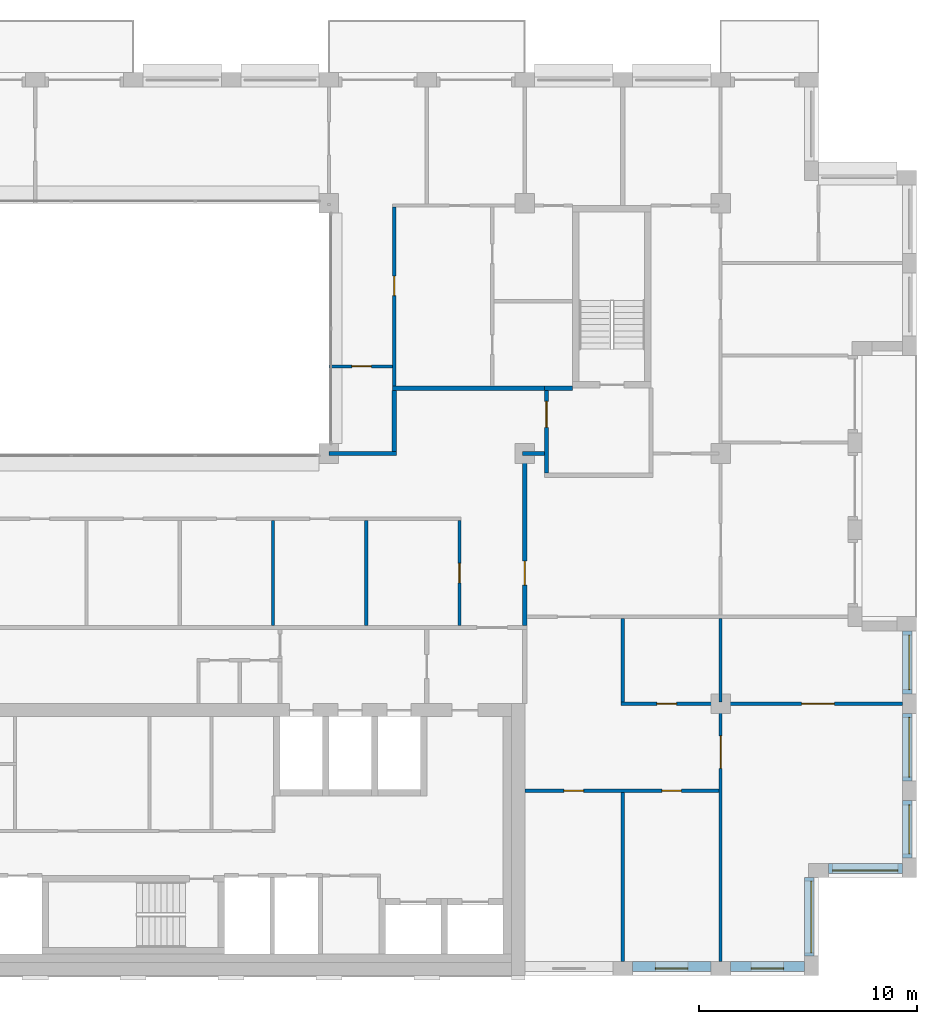
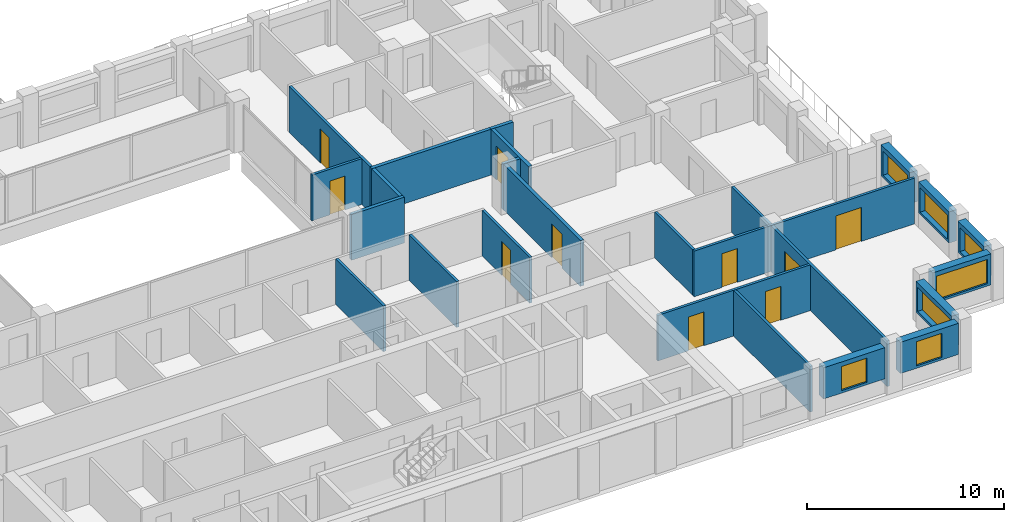
# One storey, part 11 of 15: 25 walls, 10 doors, 7 windows, 17 openings.
"""IFC4 building model written with IfcOpenShell, lengths in metres."""

from ifc_helpers import new_model, si_unit, direction, frame, frame_2d, origin, place, context, subcontext, project, spatial, rectangle, extrude, material, layer, layer_set, type_object, element, fill, save


model = new_model("IFC4")

# Units and contexts
model_context = context("Model", 3, precision=1e-05, world=origin(), true_north=direction((0.0, 1.0)))
body_context = subcontext(model_context, "Body", "Model", "MODEL_VIEW")
ifc_project = project(units=[si_unit("LENGTHUNIT", "METRE"), si_unit("AREAUNIT", "SQUARE_METRE"), si_unit("VOLUMEUNIT", "CUBIC_METRE"), si_unit("PLANEANGLEUNIT", "RADIAN"), si_unit("MASSUNIT", "GRAM", prefix="KILO")], contexts=[model_context])

# Site, building, storey
site_placement = place(None, origin())
site = spatial("IfcSite", under=ifc_project, at=site_placement, CompositionType="ELEMENT")
building_placement = place(site_placement, origin())
building = spatial("IfcBuilding", under=site, at=building_placement, Name="Brigalow Station Residences", CompositionType="ELEMENT")
storey_placement = place(building_placement, frame((0.0, 0.0, 220.050048828125)))
storey = spatial("IfcBuildingStorey", under=building, at=storey_placement, Name="L63", CompositionType="ELEMENT", Elevation=220.050048828125)

# Wall, opening, window
ifc_material_1 = material(Name="Clay brick masonry", Category="masonry")
ifc_layer_1 = layer(ifc_material_1, 0.449951171875)
ifc_layer_set_1 = layer_set([ifc_layer_1], Name="BRICK INFILL WALL 450")
wall_type_1 = type_object("IfcWallType", Name="BRICK INFILL WALL 450", PredefinedType="SOLIDWALL", material=ifc_layer_set_1)
wall_1_placement = place(storey_placement, frame((58.949951171875, 0.425048828125, 0.89990234375), z_axis=(0.0, 0.0, 1.0), x_axis=(1.0, 0.0, 0.0)))
wall_1 = element("IfcWall", 1, at=wall_1_placement, inside=storey, type_object=wall_type_1, Name="L63/ewall/W-L63-4", PredefinedType="SOLIDWALL", context=body_context, shape_type="SweptSolid", body=[
    extrude(rectangle(XDim=3.60009765625, YDim=0.449951171875, at=frame_2d((1.800048828125, 0.0))), origin(), (0.0, 0.0, 1.0), 1.929931640625),
])
opening_1_placement = place(wall_1_placement, frame((1.050048828125, 0.0, 0.14990234375)))
opening_1 = element("IfcOpeningElement", 2, at=opening_1_placement, cuts=wall_1, Name="Opening WT-1", PredefinedType="OPENING", context=body_context, shape_type="SweptSolid", body=[
    extrude(rectangle(XDim=1.5, YDim=1.5, at=frame_2d((0.75, 0.75))), frame((0.0, 0.23486328125, 0.0), z_axis=(0.0, -1.0, 0.0), x_axis=(1.0, 0.0, 0.0)), (0.0, 0.0, 1.0), 0.469970703125),
])
ifc_material_2 = material(Name="Anodised aluminium frame with double glazing", Category="aluminium")
window_type_1 = type_object("IfcWindowType", Name="WINDOW 1500x1500", PartitioningType="SINGLE_PANEL", PredefinedType="WINDOW", material=ifc_material_2)
window_1_placement = place(opening_1_placement, origin())
window_1 = element("IfcWindow", 3, at=window_1_placement, inside=storey, type_object=window_type_1, Name="L63/window/W-L63-4", OverallHeight=1.5, OverallWidth=1.5, PartitioningType="SINGLE_PANEL", PredefinedType="WINDOW", context=body_context, shape_type="SweptSolid", body=[
    extrude(rectangle(XDim=1.5, YDim=1.5, at=frame_2d((0.75, 0.75))), frame((0.0, -0.06494140625, 0.0), z_axis=(0.0, -1.0, 0.0), x_axis=(1.0, 0.0, 0.0)), (0.0, 0.0, 1.0), 0.06005859375),
])
fill(opening_1, window_1)

wall_2_placement = place(storey_placement, frame((63.449951171875, 0.425048828125, 0.89990234375), z_axis=(0.0, 0.0, 1.0), x_axis=(1.0, 0.0, 0.0)))
wall_2 = element("IfcWall", 4, at=wall_2_placement, inside=storey, type_object=wall_type_1, Name="L63/ewall/W-L63-5", PredefinedType="SOLIDWALL", context=body_context, shape_type="SweptSolid", body=[
    extrude(rectangle(XDim=3.400146484375, YDim=0.449951171875, at=frame_2d((1.7001953125, 0.0))), origin(), (0.0, 0.0, 1.0), 1.929931640625),
])
opening_2_placement = place(wall_2_placement, frame((0.949951171875, 0.0, 0.14990234375)))
opening_2 = element("IfcOpeningElement", 5, at=opening_2_placement, cuts=wall_2, Name="Opening WT-1", PredefinedType="OPENING", context=body_context, shape_type="SweptSolid", body=[
    extrude(rectangle(XDim=1.5, YDim=1.5, at=frame_2d((0.75, 0.75))), frame((0.0, 0.23486328125, 0.0), z_axis=(0.0, -1.0, 0.0), x_axis=(1.0, 0.0, 0.0)), (0.0, 0.0, 1.0), 0.469970703125),
])
window_2_placement = place(opening_2_placement, origin())
window_2 = element("IfcWindow", 6, at=window_2_placement, inside=storey, type_object=window_type_1, Name="L63/window/W-L63-5", OverallHeight=1.5, OverallWidth=1.5, PartitioningType="SINGLE_PANEL", PredefinedType="WINDOW", context=body_context, shape_type="SweptSolid", body=[
    extrude(rectangle(XDim=1.5, YDim=1.5, at=frame_2d((0.75, 0.75))), frame((0.0, -0.06494140625, 0.0), z_axis=(0.0, -1.0, 0.0), x_axis=(1.0, 0.0, 0.0)), (0.0, 0.0, 1.0), 0.06005859375),
])
fill(opening_2, window_2)

wall_3_placement = place(storey_placement, frame((67.074951171875, 0.89990234375, 0.89990234375), z_axis=(0.0, 0.0, 1.0), x_axis=(0.0, 1.0, 0.0)))
wall_3 = element("IfcWall", 7, at=wall_3_placement, inside=storey, type_object=wall_type_1, Name="L63/ewall/W-L63-6", PredefinedType="SOLIDWALL", context=body_context, shape_type="SweptSolid", body=[
    extrude(rectangle(XDim=3.60009765625, YDim=0.449951171875, at=frame_2d((1.800048828125, 0.0))), origin(), (0.0, 0.0, 1.0), 1.929931640625),
])
opening_3_placement = place(wall_3_placement, frame((0.14990234375, 0.0, 0.14990234375)))
opening_3 = element("IfcOpeningElement", 8, at=opening_3_placement, cuts=wall_3, Name="Opening WT-10", PredefinedType="OPENING", context=body_context, shape_type="SweptSolid", body=[
    extrude(rectangle(XDim=3.300048828125, YDim=1.5, at=frame_2d((1.64990234375, 0.75))), frame((0.0, 0.23486328125, 0.0), z_axis=(0.0, -1.0, 0.0), x_axis=(1.0, 0.0, 0.0)), (0.0, 0.0, 1.0), 0.469970703125),
])
ifc_material_3 = material(Name="Anodised aluminium frame with double glazing", Category="aluminium")
window_type_2 = type_object("IfcWindowType", Name="WINDOW 3300x1500", PartitioningType="SINGLE_PANEL", PredefinedType="WINDOW", material=ifc_material_3)
window_3_placement = place(opening_3_placement, origin())
window_3 = element("IfcWindow", 9, at=window_3_placement, inside=storey, type_object=window_type_2, Name="L63/window/W-L63-6", OverallHeight=1.5, OverallWidth=3.300048828125, PartitioningType="SINGLE_PANEL", PredefinedType="WINDOW", context=body_context, shape_type="SweptSolid", body=[
    extrude(rectangle(XDim=3.300048828125, YDim=1.5, at=frame_2d((1.64990234375, 0.75))), frame((0.0, -0.06494140625, 0.0), z_axis=(0.0, -1.0, 0.0), x_axis=(1.0, 0.0, 0.0)), (0.0, 0.0, 1.0), 0.06005859375),
])
fill(opening_3, window_3)

wall_4_placement = place(storey_placement, frame((67.949951171875, 4.925048828125, 0.89990234375), z_axis=(0.0, 0.0, 1.0), x_axis=(1.0, 0.0, 0.0)))
wall_4 = element("IfcWall", 10, at=wall_4_placement, inside=storey, type_object=wall_type_1, Name="L63/ewall/W-L63-7", PredefinedType="SOLIDWALL", context=body_context, shape_type="SweptSolid", body=[
    extrude(rectangle(XDim=3.400146484375, YDim=0.449951171875, at=frame_2d((1.7001953125, 0.0))), origin(), (0.0, 0.0, 1.0), 1.929931640625),
])
opening_4_placement = place(wall_4_placement, frame((0.199951171875, 0.0, 0.14990234375)))
opening_4 = element("IfcOpeningElement", 11, at=opening_4_placement, cuts=wall_4, Name="Opening WT-2", PredefinedType="OPENING", context=body_context, shape_type="SweptSolid", body=[
    extrude(rectangle(XDim=3.0, YDim=1.5, at=frame_2d((1.5, 0.75))), frame((0.0, 0.23486328125, 0.0), z_axis=(0.0, -1.0, 0.0), x_axis=(1.0, 0.0, 0.0)), (0.0, 0.0, 1.0), 0.469970703125),
])
ifc_material_4 = material(Name="Anodised aluminium frame with double glazing", Category="aluminium")
window_type_3 = type_object("IfcWindowType", Name="WINDOW 3000x1500", PartitioningType="SINGLE_PANEL", PredefinedType="WINDOW", material=ifc_material_4)
window_4_placement = place(opening_4_placement, origin())
window_4 = element("IfcWindow", 12, at=window_4_placement, inside=storey, type_object=window_type_3, Name="L63/window/W-L63-7", OverallHeight=1.5, OverallWidth=3.0, PartitioningType="SINGLE_PANEL", PredefinedType="WINDOW", context=body_context, shape_type="SweptSolid", body=[
    extrude(rectangle(XDim=3.0, YDim=1.5, at=frame_2d((1.5, 0.75))), frame((0.0, -0.06494140625, 0.0), z_axis=(0.0, -1.0, 0.0), x_axis=(1.0, 0.0, 0.0)), (0.0, 0.0, 1.0), 0.06005859375),
])
fill(opening_4, window_4)

wall_5_placement = place(storey_placement, frame((71.574951171875, 5.39990234375, 0.89990234375), z_axis=(0.0, 0.0, 1.0), x_axis=(0.0, 1.0, 0.0)))
wall_5 = element("IfcWall", 13, at=wall_5_placement, inside=storey, type_object=wall_type_1, Name="L63/ewall/W-L63-8", PredefinedType="SOLIDWALL", context=body_context, shape_type="SweptSolid", body=[
    extrude(rectangle(XDim=2.650146484375, YDim=0.449951171875, at=frame_2d((1.3251953125, 0.0))), origin(), (0.0, 0.0, 1.0), 1.929931640625),
])
opening_5_placement = place(wall_5_placement, frame((0.199951171875, 0.0, 0.14990234375)))
opening_5 = element("IfcOpeningElement", 14, at=opening_5_placement, cuts=wall_5, Name="Opening WT-6", PredefinedType="OPENING", context=body_context, shape_type="SweptSolid", body=[
    extrude(rectangle(XDim=2.25, YDim=1.5, at=frame_2d((1.125, 0.75))), frame((0.0, 0.23486328125, 0.0), z_axis=(0.0, -1.0, 0.0), x_axis=(1.0, 0.0, 0.0)), (0.0, 0.0, 1.0), 0.469970703125),
])
ifc_material_5 = material(Name="Anodised aluminium frame with double glazing", Category="aluminium")
window_type_4 = type_object("IfcWindowType", Name="WINDOW 2250x1500", PartitioningType="SINGLE_PANEL", PredefinedType="WINDOW", material=ifc_material_5)
window_5_placement = place(opening_5_placement, origin())
window_5 = element("IfcWindow", 15, at=window_5_placement, inside=storey, type_object=window_type_4, Name="L63/window/W-L63-8", OverallHeight=1.5, OverallWidth=2.25, PartitioningType="SINGLE_PANEL", PredefinedType="WINDOW", context=body_context, shape_type="SweptSolid", body=[
    extrude(rectangle(XDim=2.25, YDim=1.5, at=frame_2d((1.125, 0.75))), frame((0.0, -0.06494140625, 0.0), z_axis=(0.0, -1.0, 0.0), x_axis=(1.0, 0.0, 0.0)), (0.0, 0.0, 1.0), 0.06005859375),
])
fill(opening_5, window_5)

wall_6_placement = place(storey_placement, frame((71.574951171875, 8.949951171875, 0.89990234375), z_axis=(0.0, 0.0, 1.0), x_axis=(0.0, 1.0, 0.0)))
wall_6 = element("IfcWall", 16, at=wall_6_placement, inside=storey, type_object=wall_type_1, Name="L63/ewall/W-L63-9", PredefinedType="SOLIDWALL", context=body_context, shape_type="SweptSolid", body=[
    extrude(rectangle(XDim=3.10009765625, YDim=0.449951171875, at=frame_2d((1.550048828125, 0.0))), origin(), (0.0, 0.0, 1.0), 1.929931640625),
])
opening_6_placement = place(wall_6_placement, frame((0.175048828125, 0.0, 0.14990234375)))
opening_6 = element("IfcOpeningElement", 17, at=opening_6_placement, cuts=wall_6, Name="Opening WT-3", PredefinedType="OPENING", context=body_context, shape_type="SweptSolid", body=[
    extrude(rectangle(XDim=2.75, YDim=1.5, at=frame_2d((1.375, 0.75))), frame((0.0, 0.23486328125, 0.0), z_axis=(0.0, -1.0, 0.0), x_axis=(1.0, 0.0, 0.0)), (0.0, 0.0, 1.0), 0.469970703125),
])
ifc_material_6 = material(Name="Anodised aluminium frame with double glazing", Category="aluminium")
window_type_5 = type_object("IfcWindowType", Name="WINDOW 2750x1500", PartitioningType="SINGLE_PANEL", PredefinedType="WINDOW", material=ifc_material_6)
window_6_placement = place(opening_6_placement, origin())
window_6 = element("IfcWindow", 18, at=window_6_placement, inside=storey, type_object=window_type_5, Name="L63/window/W-L63-9", OverallHeight=1.5, OverallWidth=2.75, PartitioningType="SINGLE_PANEL", PredefinedType="WINDOW", context=body_context, shape_type="SweptSolid", body=[
    extrude(rectangle(XDim=2.75, YDim=1.5, at=frame_2d((1.375, 0.75))), frame((0.0, -0.06494140625, 0.0), z_axis=(0.0, -1.0, 0.0), x_axis=(1.0, 0.0, 0.0)), (0.0, 0.0, 1.0), 0.06005859375),
])
fill(opening_6, window_6)

wall_7_placement = place(storey_placement, frame((71.574951171875, 12.949951171875, 0.89990234375), z_axis=(0.0, 0.0, 1.0), x_axis=(0.0, 1.0, 0.0)))
wall_7 = element("IfcWall", 19, at=wall_7_placement, inside=storey, type_object=wall_type_1, Name="L63/ewall/W-L63-10", PredefinedType="SOLIDWALL", context=body_context, shape_type="SweptSolid", body=[
    extrude(rectangle(XDim=2.900146484375, YDim=0.449951171875, at=frame_2d((1.4501953125, 0.0))), origin(), (0.0, 0.0, 1.0), 1.929931640625),
])
opening_7_placement = place(wall_7_placement, frame((0.199951171875, 0.0, 0.14990234375)))
opening_7 = element("IfcOpeningElement", 20, at=opening_7_placement, cuts=wall_7, Name="Opening WT-5", PredefinedType="OPENING", context=body_context, shape_type="SweptSolid", body=[
    extrude(rectangle(XDim=2.5, YDim=1.5, at=frame_2d((1.25, 0.75))), frame((0.0, 0.23486328125, 0.0), z_axis=(0.0, -1.0, 0.0), x_axis=(1.0, 0.0, 0.0)), (0.0, 0.0, 1.0), 0.469970703125),
])
ifc_material_7 = material(Name="Anodised aluminium frame with double glazing", Category="aluminium")
window_type_6 = type_object("IfcWindowType", Name="WINDOW 2500x1500", PartitioningType="SINGLE_PANEL", PredefinedType="WINDOW", material=ifc_material_7)
window_7_placement = place(opening_7_placement, origin())
window_7 = element("IfcWindow", 21, at=window_7_placement, inside=storey, type_object=window_type_6, Name="L63/window/W-L63-10", OverallHeight=1.5, OverallWidth=2.5, PartitioningType="SINGLE_PANEL", PredefinedType="WINDOW", context=body_context, shape_type="SweptSolid", body=[
    extrude(rectangle(XDim=2.5, YDim=1.5, at=frame_2d((1.25, 0.75))), frame((0.0, -0.06494140625, 0.0), z_axis=(0.0, -1.0, 0.0), x_axis=(1.0, 0.0, 0.0)), (0.0, 0.0, 1.0), 0.06005859375),
])
fill(opening_7, window_7)

# Wall
ifc_material_8 = material(Name="Concrete blockwork", Category="masonry")
ifc_layer_2 = layer(ifc_material_8, 0.199951171875)
ifc_layer_set_2 = layer_set([ifc_layer_2], Name="FIRE RATED CORE PARTITION 200")
wall_type_2 = type_object("IfcWallType", Name="FIRE RATED CORE PARTITION 200", PredefinedType="PARTITIONING", material=ifc_layer_set_2)
wall_8_placement = place(storey_placement, frame((54.89990234375, 27.0, 0.0), z_axis=(0.0, 0.0, 1.0), x_axis=(1.0, 0.0, 0.0)))
element("IfcWall", 22, at=wall_8_placement, inside=storey, type_object=wall_type_2, Name="PW-5026", PredefinedType="PARTITIONING", context=body_context, shape_type="SweptSolid", body=[
    extrude(rectangle(XDim=1.300048828125, YDim=0.199951171875, at=frame_2d((0.64990234375, 0.0))), origin(), (0.0, 0.0, 1.0), 2.829833984375),
])

# Wall, opening, door
wall_9_placement = place(storey_placement, frame((55.0, 23.10009765625, 0.0), z_axis=(0.0, 0.0, 1.0), x_axis=(0.0, 1.0, 0.0)))
wall_9 = element("IfcWall", 23, at=wall_9_placement, inside=storey, type_object=wall_type_2, Name="PW-5036", PredefinedType="PARTITIONING", context=body_context, shape_type="SweptSolid", body=[
    extrude(rectangle(XDim=3.7998046875, YDim=0.199951171875, at=frame_2d((1.89990234375, 0.0))), origin(), (0.0, 0.0, 1.0), 2.829833984375),
])
opening_8_placement = place(wall_9_placement, frame((2.10009765625, 0.0, 0.0)))
opening_8 = element("IfcOpeningElement", 24, at=opening_8_placement, cuts=wall_9, Name="Opening D-5019", PredefinedType="OPENING", context=body_context, shape_type="SweptSolid", body=[
    extrude(rectangle(XDim=1.199951171875, YDim=2.10009765625, at=frame_2d((0.60009765625, 1.050048828125))), frame((0.0, 0.10986328125, 0.0), z_axis=(0.0, -1.0, 0.0), x_axis=(1.0, 0.0, 0.0)), (0.0, 0.0, 1.0), 0.219970703125),
])
ifc_material_9 = material(Name="Steel fire door leaf in steel frame", Category="steel")
door_type_1 = type_object("IfcDoorType", Name="STAIR LOBBY DOOR 1200 x 2100 FD60S", OperationType="SINGLE_SWING_LEFT", PredefinedType="DOOR", material=ifc_material_9)
door_1_placement = place(opening_8_placement, frame((1.199951171875, 0.0, 0.0), z_axis=(0.0, 0.0, 1.0), x_axis=(-1.0, 0.0, 0.0)))
door_1 = element("IfcDoor", 25, at=door_1_placement, inside=storey, type_object=door_type_1, Name="D-5019", OperationType="SINGLE_SWING_LEFT", OverallHeight=2.10009765625, OverallWidth=1.199951171875, PredefinedType="DOOR", context=body_context, shape_type="SweptSolid", body=[
    extrude(rectangle(XDim=1.199951171875, YDim=2.10009765625, at=frame_2d((0.60009765625, 1.050048828125))), frame((0.0, 0.02490234375, 0.0), z_axis=(0.0, -1.0, 0.0), x_axis=(1.0, 0.0, 0.0)), (0.0, 0.0, 1.0), 0.050048828125),
])
fill(opening_8, door_1)

# Wall, openings, doors
ifc_material_10 = material(Name="Plasterboard on steel stud partition", Category="steel")
ifc_layer_3 = layer(ifc_material_10, 0.14990234375)
ifc_layer_set_3 = layer_set([ifc_layer_3], Name="FLAT PARTITION 150")
wall_type_3 = type_object("IfcWallType", Name="FLAT PARTITION 150", PredefinedType="PARTITIONING", material=ifc_layer_set_3)
wall_10_placement = place(storey_placement, frame((58.425048828125, 12.5, 0.0), z_axis=(0.0, 0.0, 1.0), x_axis=(1.0, 0.0, 0.0)))
wall_10 = element("IfcWall", 26, at=wall_10_placement, inside=storey, type_object=wall_type_3, Name="PW-4C10", PredefinedType="PARTITIONING", context=body_context, shape_type="SweptSolid", body=[
    extrude(rectangle(XDim=12.925048828125, YDim=0.14990234375, at=frame_2d((6.46240234375, 0.0))), origin(), (0.0, 0.0, 1.0), 2.829833984375),
])
opening_9_placement = place(wall_10_placement, frame((1.64990234375, 0.0, 0.0)))
opening_9 = element("IfcOpeningElement", 27, at=opening_9_placement, cuts=wall_10, Name="Opening D-4C27", PredefinedType="OPENING", context=body_context, shape_type="SweptSolid", body=[
    extrude(rectangle(XDim=0.89990234375, YDim=2.10009765625, at=frame_2d((0.449951171875, 1.050048828125))), frame((0.0, 0.0849609375, 0.0), z_axis=(0.0, -1.0, 0.0), x_axis=(1.0, 0.0, 0.0)), (0.0, 0.0, 1.0), 0.169921875),
])
opening_10_placement = place(wall_10_placement, frame((8.300048828125, 0.0, 0.0)))
opening_10 = element("IfcOpeningElement", 28, at=opening_10_placement, cuts=wall_10, Name="Opening D-4C29", PredefinedType="OPENING", context=body_context, shape_type="SweptSolid", body=[
    extrude(rectangle(XDim=1.5, YDim=2.10009765625, at=frame_2d((0.75, 1.050048828125))), frame((0.0, 0.0849609375, 0.0), z_axis=(0.0, -1.0, 0.0), x_axis=(1.0, 0.0, 0.0)), (0.0, 0.0, 1.0), 0.169921875),
])
ifc_material_11 = material(Name="Solid-core timber door leaf", Category="wood")
door_type_2 = type_object("IfcDoorType", Name="INTERNAL DOOR 900 x 2100", OperationType="SINGLE_SWING_LEFT", PredefinedType="DOOR", material=ifc_material_11)
door_2_placement = place(opening_9_placement, origin())
door_2 = element("IfcDoor", 29, at=door_2_placement, inside=storey, type_object=door_type_2, Name="D-4C27", OperationType="SINGLE_SWING_LEFT", OverallHeight=2.10009765625, OverallWidth=0.89990234375, PredefinedType="DOOR", context=body_context, shape_type="SweptSolid", body=[
    extrude(rectangle(XDim=0.89990234375, YDim=2.10009765625, at=frame_2d((0.449951171875, 1.050048828125))), frame((0.0, 0.02490234375, 0.0), z_axis=(0.0, -1.0, 0.0), x_axis=(1.0, 0.0, 0.0)), (0.0, 0.0, 1.0), 0.050048828125),
])
fill(opening_9, door_2)
ifc_material_12 = material(Name="Solid-core timber door leaf", Category="wood")
door_type_3 = type_object("IfcDoorType", Name="INTERNAL DOUBLE DOOR 1500 x 2100", OperationType="DOUBLE_DOOR_SINGLE_SWING", PredefinedType="DOOR", material=ifc_material_12)
door_3_placement = place(opening_10_placement, origin())
door_3 = element("IfcDoor", 30, at=door_3_placement, inside=storey, type_object=door_type_3, Name="D-4C29", OperationType="DOUBLE_DOOR_SINGLE_SWING", OverallHeight=2.10009765625, OverallWidth=1.5, PredefinedType="DOOR", context=body_context, shape_type="SweptSolid", body=[
    extrude(rectangle(XDim=1.5, YDim=2.10009765625, at=frame_2d((0.75, 1.050048828125))), frame((0.0, 0.02490234375, 0.0), z_axis=(0.0, -1.0, 0.0), x_axis=(1.0, 0.0, 0.0)), (0.0, 0.0, 1.0), 0.050048828125),
])
fill(opening_10, door_3)

# Wall, opening, door
wall_11_placement = place(storey_placement, frame((45.0, 28.0, 0.0), z_axis=(0.0, 0.0, 1.0), x_axis=(1.0, 0.0, 0.0)))
wall_11 = element("IfcWall", 31, at=wall_11_placement, inside=storey, type_object=wall_type_3, Name="PW-4C21", PredefinedType="PARTITIONING", context=body_context, shape_type="SweptSolid", body=[
    extrude(rectangle(XDim=2.925048828125, YDim=0.14990234375, at=frame_2d((1.46240234375, 0.0))), origin(), (0.0, 0.0, 1.0), 2.829833984375),
])
opening_11_placement = place(wall_11_placement, frame((1.050048828125, 0.0, 0.0)))
opening_11 = element("IfcOpeningElement", 32, at=opening_11_placement, cuts=wall_11, Name="Opening D-4C17", PredefinedType="OPENING", context=body_context, shape_type="SweptSolid", body=[
    extrude(rectangle(XDim=0.89990234375, YDim=2.10009765625, at=frame_2d((0.449951171875, 1.050048828125))), frame((0.0, 0.0849609375, 0.0), z_axis=(0.0, -1.0, 0.0), x_axis=(1.0, 0.0, 0.0)), (0.0, 0.0, 1.0), 0.169921875),
])
door_4_placement = place(opening_11_placement, frame((0.89990234375, 0.0, 0.0), z_axis=(0.0, 0.0, 1.0), x_axis=(-1.0, 0.0, 0.0)))
door_4 = element("IfcDoor", 33, at=door_4_placement, inside=storey, type_object=door_type_2, Name="D-4C17", OperationType="SINGLE_SWING_LEFT", OverallHeight=2.10009765625, OverallWidth=0.89990234375, PredefinedType="DOOR", context=body_context, shape_type="SweptSolid", body=[
    extrude(rectangle(XDim=0.89990234375, YDim=2.10009765625, at=frame_2d((0.449951171875, 1.050048828125))), frame((0.0, 0.02490234375, 0.0), z_axis=(0.0, -1.0, 0.0), x_axis=(1.0, 0.0, 0.0)), (0.0, 0.0, 1.0), 0.050048828125),
])
fill(opening_11, door_4)

# Wall, openings, doors
wall_12_placement = place(storey_placement, frame((54.0, 8.5, 0.0), z_axis=(0.0, 0.0, 1.0), x_axis=(1.0, 0.0, 0.0)))
wall_12 = element("IfcWall", 34, at=wall_12_placement, inside=storey, type_object=wall_type_3, Name="PW-4C23", PredefinedType="PARTITIONING", context=body_context, shape_type="SweptSolid", body=[
    extrude(rectangle(XDim=8.925048828125, YDim=0.14990234375, at=frame_2d((4.46240234375, 0.0))), origin(), (0.0, 0.0, 1.0), 2.829833984375),
])
opening_12_placement = place(wall_12_placement, frame((1.800048828125, 0.0, 0.0)))
opening_12 = element("IfcOpeningElement", 35, at=opening_12_placement, cuts=wall_12, Name="Opening D-4C25", PredefinedType="OPENING", context=body_context, shape_type="SweptSolid", body=[
    extrude(rectangle(XDim=0.89990234375, YDim=2.10009765625, at=frame_2d((0.449951171875, 1.050048828125))), frame((0.0, 0.0849609375, 0.0), z_axis=(0.0, -1.0, 0.0), x_axis=(1.0, 0.0, 0.0)), (0.0, 0.0, 1.0), 0.169921875),
])
opening_13_placement = place(wall_12_placement, frame((6.300048828125, 0.0, 0.0)))
opening_13 = element("IfcOpeningElement", 36, at=opening_13_placement, cuts=wall_12, Name="Opening D-4C26", PredefinedType="OPENING", context=body_context, shape_type="SweptSolid", body=[
    extrude(rectangle(XDim=0.89990234375, YDim=2.10009765625, at=frame_2d((0.449951171875, 1.050048828125))), frame((0.0, 0.0849609375, 0.0), z_axis=(0.0, -1.0, 0.0), x_axis=(1.0, 0.0, 0.0)), (0.0, 0.0, 1.0), 0.169921875),
])
door_5_placement = place(opening_12_placement, frame((0.89990234375, 0.0, 0.0), z_axis=(0.0, 0.0, 1.0), x_axis=(-1.0, 0.0, 0.0)))
door_5 = element("IfcDoor", 37, at=door_5_placement, inside=storey, type_object=door_type_2, Name="D-4C25", OperationType="SINGLE_SWING_LEFT", OverallHeight=2.10009765625, OverallWidth=0.89990234375, PredefinedType="DOOR", context=body_context, shape_type="SweptSolid", body=[
    extrude(rectangle(XDim=0.89990234375, YDim=2.10009765625, at=frame_2d((0.449951171875, 1.050048828125))), frame((0.0, 0.02490234375, 0.0), z_axis=(0.0, -1.0, 0.0), x_axis=(1.0, 0.0, 0.0)), (0.0, 0.0, 1.0), 0.050048828125),
])
fill(opening_12, door_5)
door_6_placement = place(opening_13_placement, frame((0.89990234375, 0.0, 0.0), z_axis=(0.0, 0.0, 1.0), x_axis=(-1.0, 0.0, 0.0)))
door_6 = element("IfcDoor", 38, at=door_6_placement, inside=storey, type_object=door_type_2, Name="D-4C26", OperationType="SINGLE_SWING_RIGHT", OverallHeight=2.10009765625, OverallWidth=0.89990234375, PredefinedType="DOOR", context=body_context, shape_type="SweptSolid", body=[
    extrude(rectangle(XDim=0.89990234375, YDim=2.10009765625, at=frame_2d((0.449951171875, 1.050048828125))), frame((0.0, 0.02490234375, 0.0), z_axis=(0.0, -1.0, 0.0), x_axis=(1.0, 0.0, 0.0)), (0.0, 0.0, 1.0), 0.050048828125),
])
fill(opening_13, door_6)

# Wall, opening, door
wall_13_placement = place(storey_placement, frame((51.0, 16.10009765625, 0.0), z_axis=(0.0, 0.0, 1.0), x_axis=(0.0, 1.0, 0.0)))
wall_13 = element("IfcWall", 39, at=wall_13_placement, inside=storey, type_object=wall_type_3, Name="PW-4C31", PredefinedType="PARTITIONING", context=body_context, shape_type="SweptSolid", body=[
    extrude(rectangle(XDim=4.824951171875, YDim=0.14990234375, at=frame_2d((2.41259765625, 0.0))), origin(), (0.0, 0.0, 1.0), 2.829833984375),
])
opening_14_placement = place(wall_13_placement, frame((1.949951171875, 0.0, 0.0)))
opening_14 = element("IfcOpeningElement", 40, at=opening_14_placement, cuts=wall_13, Name="Opening D-4C43", PredefinedType="OPENING", context=body_context, shape_type="SweptSolid", body=[
    extrude(rectangle(XDim=0.89990234375, YDim=2.10009765625, at=frame_2d((0.449951171875, 1.050048828125))), frame((0.0, 0.0849609375, 0.0), z_axis=(0.0, -1.0, 0.0), x_axis=(1.0, 0.0, 0.0)), (0.0, 0.0, 1.0), 0.169921875),
])
door_7_placement = place(opening_14_placement, origin())
door_7 = element("IfcDoor", 41, at=door_7_placement, inside=storey, type_object=door_type_2, Name="D-4C43", OperationType="SINGLE_SWING_LEFT", OverallHeight=2.10009765625, OverallWidth=0.89990234375, PredefinedType="DOOR", context=body_context, shape_type="SweptSolid", body=[
    extrude(rectangle(XDim=0.89990234375, YDim=2.10009765625, at=frame_2d((0.449951171875, 1.050048828125))), frame((0.0, 0.02490234375, 0.0), z_axis=(0.0, -1.0, 0.0), x_axis=(1.0, 0.0, 0.0)), (0.0, 0.0, 1.0), 0.050048828125),
])
fill(opening_14, door_7)

wall_14_placement = place(storey_placement, frame((48.0, 27.10009765625, 0.0), z_axis=(0.0, 0.0, 1.0), x_axis=(0.0, 1.0, 0.0)))
wall_14 = element("IfcWall", 42, at=wall_14_placement, inside=storey, type_object=wall_type_3, Name="PW-4C34", PredefinedType="PARTITIONING", context=body_context, shape_type="SweptSolid", body=[
    extrude(rectangle(XDim=8.224853515625, YDim=0.14990234375, at=frame_2d((4.1123046875, 0.0))), origin(), (0.0, 0.0, 1.0), 2.829833984375),
])
opening_15_placement = place(wall_14_placement, frame((4.14990234375, 0.0, 0.0)))
opening_15 = element("IfcOpeningElement", 43, at=opening_15_placement, cuts=wall_14, Name="Opening D-4C18", PredefinedType="OPENING", context=body_context, shape_type="SweptSolid", body=[
    extrude(rectangle(XDim=0.89990234375, YDim=2.10009765625, at=frame_2d((0.449951171875, 1.050048828125))), frame((0.0, 0.0849609375, 0.0), z_axis=(0.0, -1.0, 0.0), x_axis=(1.0, 0.0, 0.0)), (0.0, 0.0, 1.0), 0.169921875),
])
door_8_placement = place(opening_15_placement, frame((0.89990234375, 0.0, 0.0), z_axis=(0.0, 0.0, 1.0), x_axis=(-1.0, 0.0, 0.0)))
door_8 = element("IfcDoor", 44, at=door_8_placement, inside=storey, type_object=door_type_2, Name="D-4C18", OperationType="SINGLE_SWING_LEFT", OverallHeight=2.10009765625, OverallWidth=0.89990234375, PredefinedType="DOOR", context=body_context, shape_type="SweptSolid", body=[
    extrude(rectangle(XDim=0.89990234375, YDim=2.10009765625, at=frame_2d((0.449951171875, 1.050048828125))), frame((0.0, 0.02490234375, 0.0), z_axis=(0.0, -1.0, 0.0), x_axis=(1.0, 0.0, 0.0)), (0.0, 0.0, 1.0), 0.050048828125),
])
fill(opening_15, door_8)

# Walls
wall_15_placement = place(storey_placement, frame((58.5, 0.64990234375, 0.0), z_axis=(0.0, 0.0, 1.0), x_axis=(0.0, 1.0, 0.0)))
element("IfcWall", 45, at=wall_15_placement, inside=storey, type_object=wall_type_3, Name="PW-4C45", PredefinedType="PARTITIONING", context=body_context, shape_type="SweptSolid", body=[
    extrude(rectangle(XDim=7.775146484375, YDim=0.14990234375, at=frame_2d((3.8876953125, 0.0))), origin(), (0.0, 0.0, 1.0), 2.829833984375),
])
wall_16_placement = place(storey_placement, frame((58.5, 12.574951171875, 0.0), z_axis=(0.0, 0.0, 1.0), x_axis=(0.0, 1.0, 0.0)))
element("IfcWall", 46, at=wall_16_placement, inside=storey, type_object=wall_type_3, Name="PW-4C46", PredefinedType="PARTITIONING", context=body_context, shape_type="SweptSolid", body=[
    extrude(rectangle(XDim=3.85009765625, YDim=0.14990234375, at=frame_2d((1.925048828125, 0.0))), origin(), (0.0, 0.0, 1.0), 2.829833984375),
])

# Wall, opening, door
wall_17_placement = place(storey_placement, frame((63.0, 0.64990234375, 0.0), z_axis=(0.0, 0.0, 1.0), x_axis=(0.0, 1.0, 0.0)))
wall_17 = element("IfcWall", 47, at=wall_17_placement, inside=storey, type_object=wall_type_3, Name="PW-4C48", PredefinedType="PARTITIONING", context=body_context, shape_type="SweptSolid", body=[
    extrude(rectangle(XDim=11.775146484375, YDim=0.14990234375, at=frame_2d((5.8876953125, 0.0))), origin(), (0.0, 0.0, 1.0), 2.829833984375),
])
opening_16_placement = place(wall_17_placement, frame((8.875, 0.0, 0.0)))
opening_16 = element("IfcOpeningElement", 48, at=opening_16_placement, cuts=wall_17, Name="Opening D-4C28", PredefinedType="OPENING", context=body_context, shape_type="SweptSolid", body=[
    extrude(rectangle(XDim=1.5, YDim=2.10009765625, at=frame_2d((0.75, 1.050048828125))), frame((0.0, 0.0849609375, 0.0), z_axis=(0.0, -1.0, 0.0), x_axis=(1.0, 0.0, 0.0)), (0.0, 0.0, 1.0), 0.169921875),
])
door_9_placement = place(opening_16_placement, origin())
door_9 = element("IfcDoor", 49, at=door_9_placement, inside=storey, type_object=door_type_3, Name="D-4C28", OperationType="DOUBLE_DOOR_SINGLE_SWING", OverallHeight=2.10009765625, OverallWidth=1.5, PredefinedType="DOOR", context=body_context, shape_type="SweptSolid", body=[
    extrude(rectangle(XDim=1.5, YDim=2.10009765625, at=frame_2d((0.75, 1.050048828125))), frame((0.0, 0.02490234375, 0.0), z_axis=(0.0, -1.0, 0.0), x_axis=(1.0, 0.0, 0.0)), (0.0, 0.0, 1.0), 0.050048828125),
])
fill(opening_16, door_9)

# Walls
wall_18_placement = place(storey_placement, frame((63.0, 12.574951171875, 0.0), z_axis=(0.0, 0.0, 1.0), x_axis=(0.0, 1.0, 0.0)))
element("IfcWall", 50, at=wall_18_placement, inside=storey, type_object=wall_type_3, Name="PW-4C49", PredefinedType="PARTITIONING", context=body_context, shape_type="SweptSolid", body=[
    extrude(rectangle(XDim=3.85009765625, YDim=0.14990234375, at=frame_2d((1.925048828125, 0.0))), origin(), (0.0, 0.0, 1.0), 2.829833984375),
])
for number, where, z_axis, x_axis, name in (
    (51, (42.428955078125, 16.10009765625, 0.0), (0.0, 0.0, 1.0), (0.0, 1.0, 0.0), "PW-4C56"),
    (52, (46.714111328125, 16.10009765625, 0.0), (0.0, 0.0, 1.0), (0.0, 1.0, 0.0), "PW-4C57"),
):
    element("IfcWall", number, at=place(storey_placement, frame(where, z_axis=z_axis, x_axis=x_axis)), inside=storey, type_object=wall_type_3, Name=name, PredefinedType="PARTITIONING", context=body_context, shape_type="SweptSolid", body=[
        extrude(rectangle(XDim=4.824951171875, YDim=0.14990234375, at=frame_2d((2.41259765625, 0.0))), origin(), (0.0, 0.0, 1.0), 2.829833984375),
    ])
ifc_material_13 = material(Name="Plasterboard on steel stud partition", Category="steel")
ifc_layer_4 = layer(ifc_material_13, 0.199951171875)
ifc_layer_set_4 = layer_set([ifc_layer_4], Name="PARTY AND CORRIDOR WALL 200")
wall_type_4 = type_object("IfcWallType", Name="PARTY AND CORRIDOR WALL 200", PredefinedType="PARTITIONING", material=ifc_layer_set_4)
wall_19_placement = place(storey_placement, frame((45.0, 24.0, 0.0), z_axis=(0.0, 0.0, 1.0), x_axis=(1.0, 0.0, 0.0)))
element("IfcWall", 53, at=wall_19_placement, inside=storey, type_object=wall_type_4, Name="PW-4C04", PredefinedType="PARTITIONING", context=body_context, shape_type="SweptSolid", body=[
    extrude(rectangle(XDim=3.10009765625, YDim=0.199951171875, at=frame_2d((1.550048828125, 0.0))), origin(), (0.0, 0.0, 1.0), 2.829833984375),
])
wall_20_placement = place(storey_placement, frame((53.89990234375, 24.0, 0.0), z_axis=(0.0, 0.0, 1.0), x_axis=(1.0, 0.0, 0.0)))
element("IfcWall", 54, at=wall_20_placement, inside=storey, type_object=wall_type_4, Name="PW-4C05", PredefinedType="PARTITIONING", context=body_context, shape_type="SweptSolid", body=[
    extrude(rectangle(XDim=1.0, YDim=0.199951171875, at=frame_2d((0.5, 0.0))), origin(), (0.0, 0.0, 1.0), 2.829833984375),
])
wall_21_placement = place(storey_placement, frame((47.925048828125, 27.0, 0.0), z_axis=(0.0, 0.0, 1.0), x_axis=(1.0, 0.0, 0.0)))
element("IfcWall", 55, at=wall_21_placement, inside=storey, type_object=wall_type_4, Name="PW-4C08", PredefinedType="PARTITIONING", context=body_context, shape_type="SweptSolid", body=[
    extrude(rectangle(XDim=6.974853515625, YDim=0.199951171875, at=frame_2d((3.4873046875, 0.0))), origin(), (0.0, 0.0, 1.0), 2.829833984375),
])

# Wall, opening, door
wall_22_placement = place(storey_placement, frame((54.0, 16.10009765625, 0.0), z_axis=(0.0, 0.0, 1.0), x_axis=(0.0, 1.0, 0.0)))
wall_22 = element("IfcWall", 56, at=wall_22_placement, inside=storey, type_object=wall_type_4, Name="PW-4C29", PredefinedType="PARTITIONING", context=body_context, shape_type="SweptSolid", body=[
    extrude(rectangle(XDim=7.7998046875, YDim=0.199951171875, at=frame_2d((3.89990234375, 0.0))), origin(), (0.0, 0.0, 1.0), 2.829833984375),
])
opening_17_placement = place(wall_22_placement, frame((1.85009765625, 0.0, 0.0)))
opening_17 = element("IfcOpeningElement", 57, at=opening_17_placement, cuts=wall_22, Name="Opening D-4C23", PredefinedType="OPENING", context=body_context, shape_type="SweptSolid", body=[
    extrude(rectangle(XDim=1.10009765625, YDim=2.10009765625, at=frame_2d((0.550048828125, 1.050048828125))), frame((0.0, 0.10986328125, 0.0), z_axis=(0.0, -1.0, 0.0), x_axis=(1.0, 0.0, 0.0)), (0.0, 0.0, 1.0), 0.219970703125),
])
ifc_material_14 = material(Name="Solid-core timber door leaf", Category="wood")
door_type_4 = type_object("IfcDoorType", Name="FLAT ENTRANCE DOOR 1100 x 2100 FRL -/60/30", OperationType="SINGLE_SWING_LEFT", PredefinedType="DOOR", material=ifc_material_14)
door_10_placement = place(opening_17_placement, frame((1.10009765625, 0.0, 0.0), z_axis=(0.0, 0.0, 1.0), x_axis=(-1.0, 0.0, 0.0)))
door_10 = element("IfcDoor", 58, at=door_10_placement, inside=storey, type_object=door_type_4, Name="D-4C23", OperationType="SINGLE_SWING_RIGHT", OverallHeight=2.10009765625, OverallWidth=1.10009765625, PredefinedType="DOOR", context=body_context, shape_type="SweptSolid", body=[
    extrude(rectangle(XDim=1.10009765625, YDim=2.10009765625, at=frame_2d((0.550048828125, 1.050048828125))), frame((0.0, 0.02490234375, 0.0), z_axis=(0.0, -1.0, 0.0), x_axis=(1.0, 0.0, 0.0)), (0.0, 0.0, 1.0), 0.050048828125),
])
fill(opening_17, door_10)

# Wall
wall_23_placement = place(storey_placement, frame((48.0, 24.10009765625, 0.0), z_axis=(0.0, 0.0, 1.0), x_axis=(0.0, 1.0, 0.0)))
element("IfcWall", 59, at=wall_23_placement, inside=storey, type_object=wall_type_4, Name="PW-4C35", PredefinedType="PARTITIONING", context=body_context, shape_type="SweptSolid", body=[
    extrude(rectangle(XDim=2.7998046875, YDim=0.199951171875, at=frame_2d((1.39990234375, 0.0))), origin(), (0.0, 0.0, 1.0), 2.829833984375),
])

save(model, "model.ifc")
